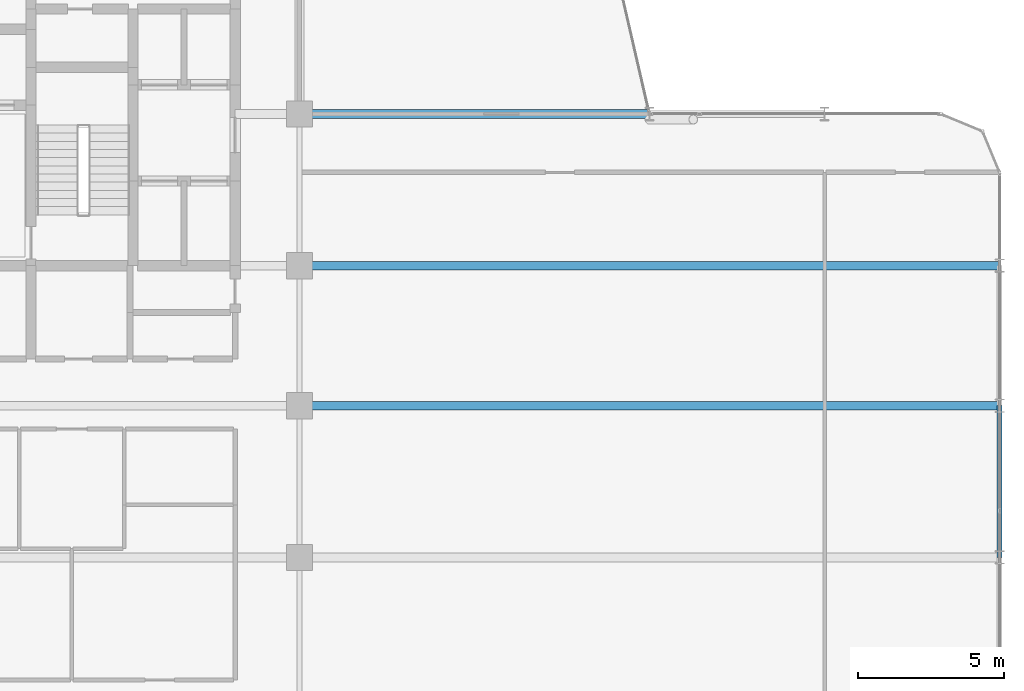
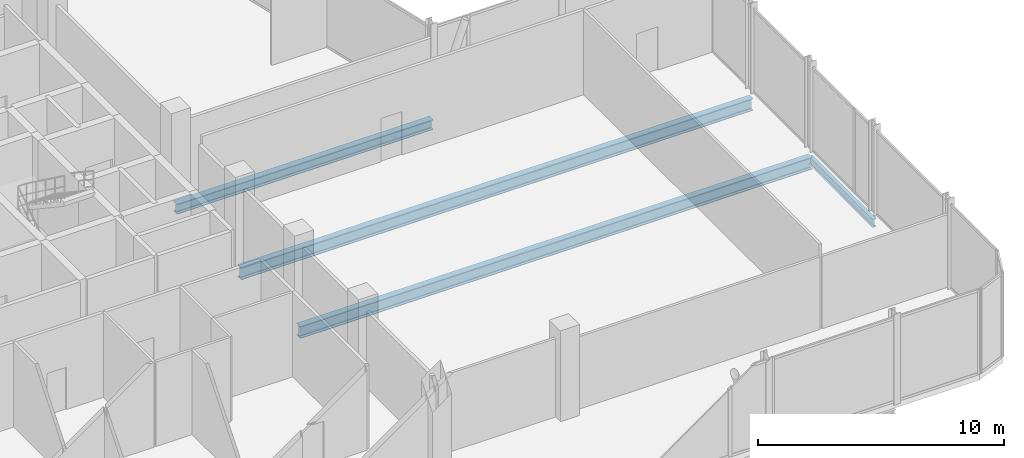
# One storey, part 15 of 31: 4 beams.
"""IFC4 building model written with IfcOpenShell, lengths in metres."""

from ifc_helpers import new_model, si_unit, direction, frame, origin, origin_2d, place, context, subcontext, project, spatial, i_section, extrude, material, material_profile, profile_set, type_object, element, save


model = new_model("IFC4")

# Units and contexts
model_context = context("Model", 3, precision=1e-05, world=origin(), true_north=direction((0.0, 1.0)))
body_context = subcontext(model_context, "Body", "Model", "MODEL_VIEW")
ifc_project = project(units=[si_unit("LENGTHUNIT", "METRE"), si_unit("AREAUNIT", "SQUARE_METRE"), si_unit("VOLUMEUNIT", "CUBIC_METRE"), si_unit("PLANEANGLEUNIT", "RADIAN"), si_unit("MASSUNIT", "GRAM", prefix="KILO")], contexts=[model_context])

# Site, building, storey
site_placement = place(None, origin())
site = spatial("IfcSite", under=ifc_project, at=site_placement, CompositionType="ELEMENT")
building_placement = place(site_placement, origin())
building = spatial("IfcBuilding", under=site, at=building_placement, Name="Keshet Zoharim Tower", CompositionType="ELEMENT")
storey_placement = place(building_placement, frame((0.0, 0.0, 183.89990234375)))
storey = spatial("IfcBuildingStorey", under=building, at=storey_placement, Name="L45", CompositionType="ELEMENT", Elevation=183.89990234375)

# Beams
ifc_material = material(Name="Steel S355", Category="steel")
ifc_material_profile_1 = material_profile(ifc_material, i_section(OverallWidth=0.300048828125, OverallDepth=0.60009765625, WebThickness=0.015380859375, FlangeThickness=0.030029296875, FilletRadius=0.027099609375, at=origin_2d()), Name="HEB600")
ifc_profile_set_1 = profile_set([ifc_material_profile_1], Name="Steel S355")
beam_type_1 = type_object("IfcBeamType", Name="BM-LNG-HB600", PredefinedType="BEAM", material=ifc_profile_set_1)
for number, where, z_axis, x_axis, name in (
    (1, (33.0, 17.89990234375, -0.619873046875), (1.0, 0.0, 0.0), (0.0, 1.0, 0.0), "L45 Primary Girder X-013"),
    (2, (33.0, 22.699951171875, -0.619873046875), (1.0, 0.0, 0.0), (0.0, 1.0, 0.0), "L45 Primary Girder X-014"),
):
    element("IfcBeam", number, at=place(storey_placement, frame(where, z_axis=z_axis, x_axis=x_axis)), inside=storey, type_object=beam_type_1, Name=name, PredefinedType="BEAM", context=body_context, shape_type="SweptSolid", body=[
        extrude(i_section(OverallWidth=0.300048828125, OverallDepth=0.60009765625, WebThickness=0.015380859375, FlangeThickness=0.030029296875, FilletRadius=0.027099609375, at=origin_2d()), origin(), (0.0, 0.0, 1.0), 24.0),
    ])
ifc_material_profile_2 = material_profile(ifc_material, i_section(OverallWidth=0.300048828125, OverallDepth=0.5, WebThickness=0.014404296875, FlangeThickness=0.028076171875, FilletRadius=0.027099609375, at=origin_2d()), Name="HEB500")
ifc_profile_set_2 = profile_set([ifc_material_profile_2], Name="Steel S355")
beam_type_2 = type_object("IfcBeamType", Name="BM-MED-HB500", PredefinedType="BEAM", material=ifc_profile_set_2)
beam_1_placement = place(storey_placement, frame((33.0, 27.89990234375, -0.56982421875), z_axis=(1.0, 0.0, 0.0), x_axis=(0.0, 1.0, 0.0)))
element("IfcBeam", 3, at=beam_1_placement, inside=storey, type_object=beam_type_2, Name="L45 Primary Girder X-015", PredefinedType="BEAM", context=body_context, shape_type="SweptSolid", body=[
    extrude(i_section(OverallWidth=0.300048828125, OverallDepth=0.5, WebThickness=0.014404296875, FlangeThickness=0.028076171875, FilletRadius=0.027099609375, at=origin_2d()), origin(), (0.0, 0.0, 1.0), 12.0),
])
ifc_material_profile_3 = material_profile(ifc_material, i_section(OverallWidth=0.179931640625, OverallDepth=0.39990234375, WebThickness=0.008544921875, FlangeThickness=0.013427734375, FilletRadius=0.02099609375, at=origin_2d()), Name="IPE400")
ifc_profile_set_3 = profile_set([ifc_material_profile_3], Name="Steel S355")
beam_type_3 = type_object("IfcBeamType", Name="BM-PRI-IP400", PredefinedType="BEAM", material=ifc_profile_set_3)
beam_2_placement = place(storey_placement, frame((57.0, 12.699951171875, -0.52001953125), z_axis=(0.0, 1.0, 0.0), x_axis=(-1.0, 0.0, 0.0)))
element("IfcBeam", 4, at=beam_2_placement, inside=storey, type_object=beam_type_3, Name="L45 Primary Girder Y-014", PredefinedType="BEAM", context=body_context, shape_type="SweptSolid", body=[
    extrude(i_section(OverallWidth=0.179931640625, OverallDepth=0.39990234375, WebThickness=0.008544921875, FlangeThickness=0.013427734375, FilletRadius=0.02099609375, at=origin_2d()), origin(), (0.0, 0.0, 1.0), 5.199951171875),
])

save(model, "model.ifc")
